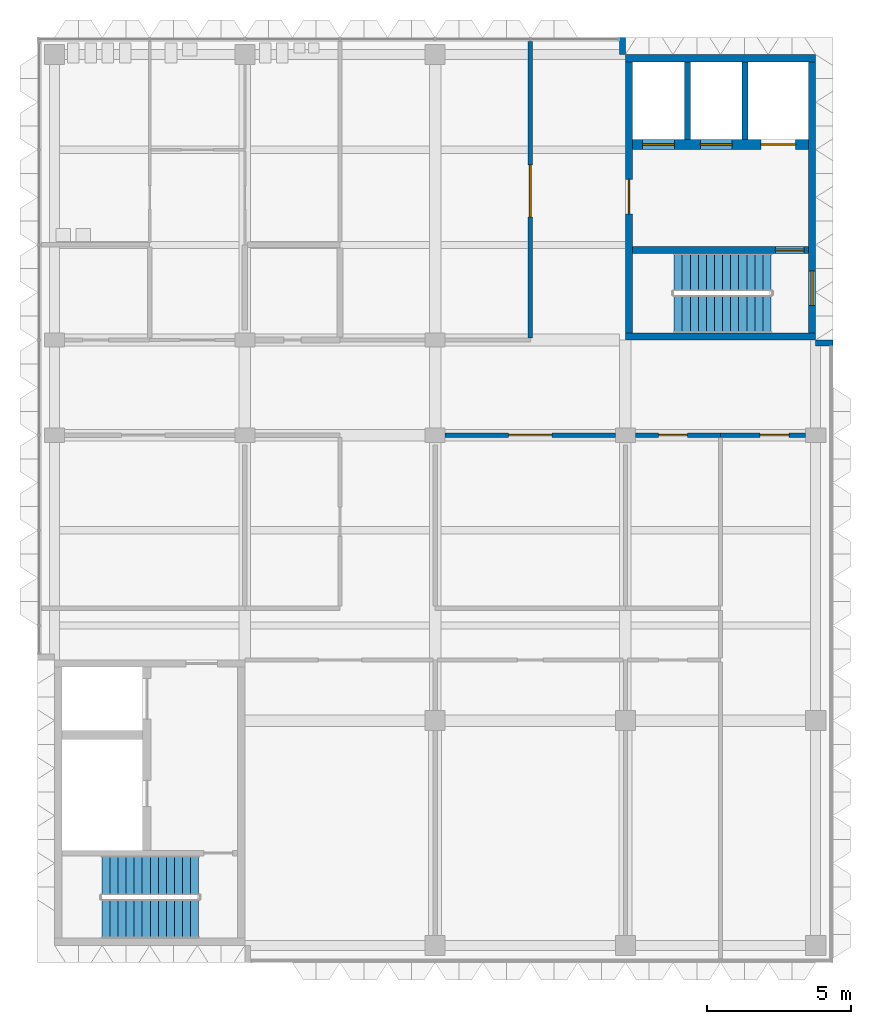
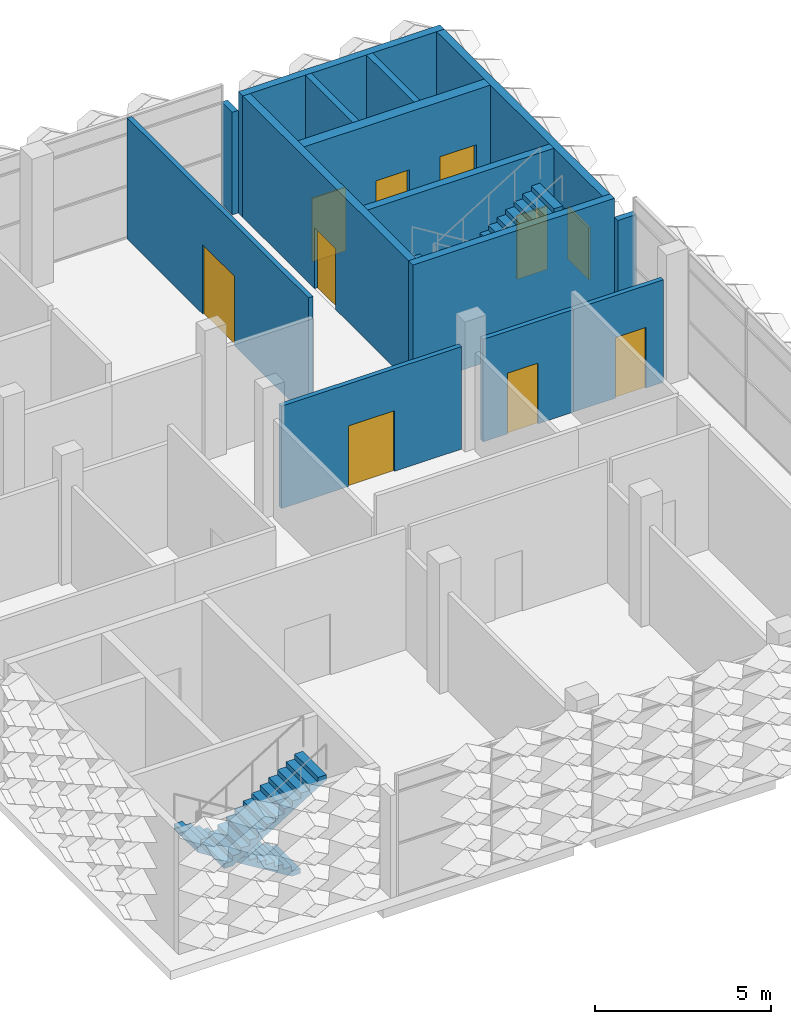
# One storey, part 10 of 28: 14 walls, 9 doors, 4 stair flights, 1 window, 10 openings, 2 elements without a shape of their own.
"""IFC4 building model written with IfcOpenShell, lengths in metres."""

from ifc_helpers import new_model, si_unit, direction, frame, frame_2d, origin, place, context, subcontext, project, spatial, polyline, rectangle, outline, extrude, material, layer, layer_set, type_object, element, fill, aggregate, save


model = new_model("IFC4")

# Units and contexts
model_context = context("Model", 3, precision=1e-05, world=origin(), true_north=direction((0.0, 1.0)))
body_context = subcontext(model_context, "Body", "Model", "MODEL_VIEW")
ifc_project = project(units=[si_unit("LENGTHUNIT", "METRE"), si_unit("AREAUNIT", "SQUARE_METRE"), si_unit("VOLUMEUNIT", "CUBIC_METRE"), si_unit("PLANEANGLEUNIT", "RADIAN"), si_unit("MASSUNIT", "GRAM", prefix="KILO")], contexts=[model_context])

# Site, building, storey
site_placement = place(None, origin())
site = spatial("IfcSite", under=ifc_project, at=site_placement, CompositionType="ELEMENT")
building_placement = place(site_placement, origin())
building = spatial("IfcBuilding", under=site, at=building_placement, Name="Lantern Court Research Institute", CompositionType="ELEMENT")
storey_placement = place(building_placement, frame((0.0, 0.0, 36.89990234375)))
storey = spatial("IfcBuildingStorey", under=building, at=storey_placement, Name="L08", CompositionType="ELEMENT", Elevation=36.89990234375)

# Wall, opening, door
ifc_material_1 = material(Name="Fire-rated gypsum board partition, mineral wool filled")
ifc_layer_1 = layer(ifc_material_1, 0.14990234375)
ifc_layer_set_1 = layer_set([ifc_layer_1], Name="Fire-rated gypsum board partition, mineral wool filled")
wall_type_1 = type_object("IfcWallType", Name="Laboratory partition 150 EI 60", PredefinedType="PARTITIONING", material=ifc_layer_set_1)
wall_1_placement = place(storey_placement, frame((66.35009765625, 9.89990234375, 0.0), z_axis=(0.0, 0.0, 1.0), x_axis=(1.0, 0.0, 0.0)))
wall_1 = element("IfcWall", 1, at=wall_1_placement, inside=storey, type_object=wall_type_1, Name="Laboratory partition 150 EI 60", PredefinedType="PARTITIONING", context=body_context, shape_type="SweptSolid", body=[
    extrude(rectangle(XDim=5.89990234375, YDim=0.14990234375, at=frame_2d((2.949951171875, 0.0))), origin(), (0.0, 0.0, 1.0), 3.550048828125),
])
opening_1_placement = place(wall_1_placement, frame((2.199951171875, 0.0, 0.0)))
opening_1 = element("IfcOpeningElement", 2, at=opening_1_placement, cuts=wall_1, Name="Opening D5813", PredefinedType="OPENING", context=body_context, shape_type="SweptSolid", body=[
    extrude(rectangle(XDim=1.5, YDim=2.10009765625, at=frame_2d((0.75, 1.050048828125))), frame((0.0, 0.0849609375, 0.0), z_axis=(0.0, -1.0, 0.0), x_axis=(1.0, 0.0, 0.0)), (0.0, 0.0, 1.0), 0.169921875),
])
ifc_material_2 = material(Name="Solid-core timber door leaf with vision panel", Category="wood")
ifc_layer_2 = layer(ifc_material_2, 0.053955078125)
ifc_layer_set_2 = layer_set([ifc_layer_2], Name="Solid-core timber door leaf with vision panel")
door_type_1 = type_object("IfcDoorType", Name="Laboratory double door 1500 x 2100 pair FD30S", OperationType="DOUBLE_DOOR_SINGLE_SWING", PredefinedType="DOOR", material=ifc_layer_set_2)
door_1_placement = place(opening_1_placement, origin())
door_1 = element("IfcDoor", 3, at=door_1_placement, inside=storey, type_object=door_type_1, Name="Door D5813", OperationType="DOUBLE_DOOR_SINGLE_SWING", OverallHeight=2.10009765625, OverallWidth=1.5, PredefinedType="DOOR", context=body_context, shape_type="SweptSolid", body=[
    extrude(rectangle(XDim=1.5, YDim=2.10009765625, at=frame_2d((0.75, 1.050048828125))), frame((0.0, 0.02685546875, 0.0), z_axis=(0.0, -1.0, 0.0), x_axis=(1.0, 0.0, 0.0)), (0.0, 0.0, 1.0), 0.053955078125),
])
fill(opening_1, door_1)

wall_2_placement = place(storey_placement, frame((72.949951171875, 9.89990234375, 0.0), z_axis=(0.0, 0.0, 1.0), x_axis=(1.0, 0.0, 0.0)))
wall_2 = element("IfcWall", 4, at=wall_2_placement, inside=storey, type_object=wall_type_1, Name="Laboratory partition 150 EI 60", PredefinedType="PARTITIONING", context=body_context, shape_type="SweptSolid", body=[
    extrude(rectangle(XDim=2.949951171875, YDim=0.14990234375, at=frame_2d((1.47509765625, 0.0))), origin(), (0.0, 0.0, 1.0), 3.550048828125),
])
opening_2_placement = place(wall_2_placement, frame((0.800048828125, 0.0, 0.0)))
opening_2 = element("IfcOpeningElement", 5, at=opening_2_placement, cuts=wall_2, Name="Opening D5814", PredefinedType="OPENING", context=body_context, shape_type="SweptSolid", body=[
    extrude(rectangle(XDim=1.0, YDim=2.10009765625, at=frame_2d((0.5, 1.050048828125))), frame((0.0, 0.0849609375, 0.0), z_axis=(0.0, -1.0, 0.0), x_axis=(1.0, 0.0, 0.0)), (0.0, 0.0, 1.0), 0.169921875),
])
ifc_material_3 = material(Name="Solid-core timber door leaf with vision panel", Category="wood")
ifc_layer_3 = layer(ifc_material_3, 0.053955078125)
ifc_layer_set_3 = layer_set([ifc_layer_3], Name="Solid-core timber door leaf with vision panel")
door_type_2 = type_object("IfcDoorType", Name="Laboratory door 1000 x 2100 single FD30S", OperationType="NOTDEFINED", PredefinedType="DOOR", material=ifc_layer_set_3)
door_2_placement = place(opening_2_placement, origin())
door_2 = element("IfcDoor", 6, at=door_2_placement, inside=storey, type_object=door_type_2, Name="Door D5814", OperationType="SINGLE_SWING_LEFT", OverallHeight=2.10009765625, OverallWidth=1.0, PredefinedType="DOOR", context=body_context, shape_type="SweptSolid", body=[
    extrude(rectangle(XDim=1.0, YDim=2.10009765625, at=frame_2d((0.5, 1.050048828125))), frame((0.0, 0.02685546875, 0.0), z_axis=(0.0, -1.0, 0.0), x_axis=(1.0, 0.0, 0.0)), (0.0, 0.0, 1.0), 0.053955078125),
])
fill(opening_2, door_2)

wall_3_placement = place(storey_placement, frame((75.89990234375, 9.89990234375, 0.0), z_axis=(0.0, 0.0, 1.0), x_axis=(1.0, 0.0, 0.0)))
wall_3 = element("IfcWall", 7, at=wall_3_placement, inside=storey, type_object=wall_type_1, Name="Laboratory partition 150 EI 60", PredefinedType="PARTITIONING", context=body_context, shape_type="SweptSolid", body=[
    extrude(rectangle(XDim=2.9501953125, YDim=0.14990234375, at=frame_2d((1.47509765625, 0.0))), origin(), (0.0, 0.0, 1.0), 3.550048828125),
])
opening_3_placement = place(wall_3_placement, frame((1.375, 0.0, 0.0)))
opening_3 = element("IfcOpeningElement", 8, at=opening_3_placement, cuts=wall_3, Name="Opening D5815", PredefinedType="OPENING", context=body_context, shape_type="SweptSolid", body=[
    extrude(rectangle(XDim=1.0, YDim=2.10009765625, at=frame_2d((0.5, 1.050048828125))), frame((0.0, 0.0849609375, 0.0), z_axis=(0.0, -1.0, 0.0), x_axis=(1.0, 0.0, 0.0)), (0.0, 0.0, 1.0), 0.169921875),
])
door_3_placement = place(opening_3_placement, origin())
door_3 = element("IfcDoor", 9, at=door_3_placement, inside=storey, type_object=door_type_2, Name="Door D5815", OperationType="SINGLE_SWING_LEFT", OverallHeight=2.10009765625, OverallWidth=1.0, PredefinedType="DOOR", context=body_context, shape_type="SweptSolid", body=[
    extrude(rectangle(XDim=1.0, YDim=2.10009765625, at=frame_2d((0.5, 1.050048828125))), frame((0.0, 0.02685546875, 0.0), z_axis=(0.0, -1.0, 0.0), x_axis=(1.0, 0.0, 0.0)), (0.0, 0.0, 1.0), 0.053955078125),
])
fill(opening_3, door_3)

wall_4_placement = place(storey_placement, frame((69.300048828125, 23.550048828125, 0.0), z_axis=(0.0, 0.0, 1.0), x_axis=(0.0, -1.0, 0.0)))
wall_4 = element("IfcWall", 10, at=wall_4_placement, inside=storey, type_object=wall_type_1, Name="Laboratory partition 150 EI 60", PredefinedType="PARTITIONING", context=body_context, shape_type="SweptSolid", body=[
    extrude(rectangle(XDim=10.275146484375, YDim=0.14990234375, at=frame_2d((5.1376953125, 0.0))), origin(), (0.0, 0.0, 1.0), 4.2001953125),
])
opening_4_placement = place(wall_4_placement, frame((4.27490234375, 0.0, 0.0)))
opening_4 = element("IfcOpeningElement", 11, at=opening_4_placement, cuts=wall_4, Name="Opening D5807", PredefinedType="OPENING", context=body_context, shape_type="SweptSolid", body=[
    extrude(rectangle(XDim=1.800048828125, YDim=2.39990234375, at=frame_2d((0.89990234375, 1.199951171875))), frame((0.0, 0.0849609375, 0.0), z_axis=(0.0, -1.0, 0.0), x_axis=(1.0, 0.0, 0.0)), (0.0, 0.0, 1.0), 0.169921875),
])
ifc_material_4 = material(Name="Solid-core timber door leaf with vision panel", Category="wood")
ifc_layer_4 = layer(ifc_material_4, 0.053955078125)
ifc_layer_set_4 = layer_set([ifc_layer_4], Name="Solid-core timber door leaf with vision panel")
door_type_3 = type_object("IfcDoorType", Name="Laboratory equipment door 1800 x 2400 pair FD30S", OperationType="DOUBLE_DOOR_SINGLE_SWING", PredefinedType="DOOR", material=ifc_layer_set_4)
door_4_placement = place(opening_4_placement, origin())
door_4 = element("IfcDoor", 12, at=door_4_placement, inside=storey, type_object=door_type_3, Name="Door D5807", OperationType="DOUBLE_DOOR_SINGLE_SWING", OverallHeight=2.39990234375, OverallWidth=1.800048828125, PredefinedType="DOOR", context=body_context, shape_type="SweptSolid", body=[
    extrude(rectangle(XDim=1.800048828125, YDim=2.39990234375, at=frame_2d((0.89990234375, 1.199951171875))), frame((0.0, 0.02685546875, 0.0), z_axis=(0.0, -1.0, 0.0), x_axis=(1.0, 0.0, 0.0)), (0.0, 0.0, 1.0), 0.053955078125),
])
fill(opening_4, door_4)

# Wall
ifc_material_5 = material(Name="Concrete C40/50", Category="concrete")
ifc_layer_5 = layer(ifc_material_5, 0.25)
ifc_layer_set_5 = layer_set([ifc_layer_5], Name="Concrete C40/50")
wall_type_2 = type_object("IfcWallType", Name="RC core wall 250", PredefinedType="SHEAR", material=ifc_layer_set_5)
wall_5_placement = place(storey_placement, frame((72.60009765625, 13.324951171875, 0.0), z_axis=(0.0, 0.0, 1.0), x_axis=(1.0, 0.0, 0.0)))
element("IfcWall", 13, at=wall_5_placement, inside=storey, type_object=wall_type_2, Name="South wall of core TC-E", PredefinedType="SHEAR", context=body_context, shape_type="SweptSolid", body=[
    extrude(rectangle(XDim=6.599853515625, YDim=0.25, at=frame_2d((3.2998046875, 0.0))), origin(), (0.0, 0.0, 1.0), 4.2001953125),
])

# Wall, opening, door
wall_6_placement = place(storey_placement, frame((72.72509765625, 13.449951171875, 0.0), z_axis=(0.0, 0.0, 1.0), x_axis=(0.0, 1.0, 0.0)))
wall_6 = element("IfcWall", 14, at=wall_6_placement, inside=storey, type_object=wall_type_2, Name="West wall of core TC-E", PredefinedType="SHEAR", context=body_context, shape_type="SweptSolid", body=[
    extrude(rectangle(XDim=9.400146484375, YDim=0.25, at=frame_2d((4.7001953125, 0.0))), origin(), (0.0, 0.0, 1.0), 4.2001953125),
])
opening_5_placement = place(wall_6_placement, frame((4.125, 0.0, 0.0)))
opening_5 = element("IfcOpeningElement", 15, at=opening_5_placement, cuts=wall_6, Name="Opening D7187", PredefinedType="OPENING", context=body_context, shape_type="SweptSolid", body=[
    extrude(rectangle(XDim=1.199951171875, YDim=2.10009765625, at=frame_2d((0.60009765625, 1.050048828125))), frame((0.0, 0.135009765625, 0.0), z_axis=(0.0, -1.0, 0.0), x_axis=(1.0, 0.0, 0.0)), (0.0, 0.0, 1.0), 0.27001953125),
])
ifc_material_6 = material(Name="Steel fire door leaf with smoke seals", Category="steel")
door_type_4 = type_object("IfcDoorType", Name="Door 1200 x 2100 fire rated FD60S", OperationType="NOTDEFINED", PredefinedType="DOOR", material=ifc_material_6)
door_5_placement = place(opening_5_placement, origin())
door_5 = element("IfcDoor", 16, at=door_5_placement, inside=storey, type_object=door_type_4, Name="Lobby door", OperationType="SINGLE_SWING_LEFT", OverallHeight=2.10009765625, OverallWidth=1.199951171875, PredefinedType="DOOR", context=body_context, shape_type="SweptSolid", body=[
    extrude(rectangle(XDim=1.199951171875, YDim=2.10009765625, at=frame_2d((0.60009765625, 1.050048828125))), frame((0.0, 0.02490234375, 0.0), z_axis=(0.0, -1.0, 0.0), x_axis=(1.0, 0.0, 0.0)), (0.0, 0.0, 1.0), 0.050048828125),
])
fill(opening_5, door_5)

# Wall
ifc_material_7 = material(Name="Concrete C40/50", Category="concrete")
ifc_layer_6 = layer(ifc_material_7, 0.25)
ifc_layer_set_6 = layer_set([ifc_layer_6], Name="Concrete C40/50")
wall_type_3 = type_object("IfcWallType", Name="RC core wall 250 facade", PredefinedType="SHEAR", material=ifc_layer_set_6)
wall_7_placement = place(storey_placement, frame((72.60009765625, 22.97509765625, 0.0), z_axis=(0.0, 0.0, 1.0), x_axis=(1.0, 0.0, 0.0)))
element("IfcWall", 17, at=wall_7_placement, inside=storey, type_object=wall_type_3, Name="North wall of core TC-E", PredefinedType="SHEAR", context=body_context, shape_type="SweptSolid", body=[
    extrude(rectangle(XDim=6.599853515625, YDim=0.25, at=frame_2d((3.2998046875, 0.0))), origin(), (0.0, 0.0, 1.0), 4.2001953125),
])

# Wall, opening, window
wall_8_placement = place(storey_placement, frame((79.074951171875, 13.449951171875, 0.0), z_axis=(0.0, 0.0, 1.0), x_axis=(0.0, 1.0, 0.0)))
wall_8 = element("IfcWall", 18, at=wall_8_placement, inside=storey, type_object=wall_type_3, Name="East wall of core TC-E", PredefinedType="SHEAR", context=body_context, shape_type="SweptSolid", body=[
    extrude(rectangle(XDim=9.400146484375, YDim=0.25, at=frame_2d((4.7001953125, 0.0))), origin(), (0.0, 0.0, 1.0), 4.2001953125),
])
opening_6_placement = place(wall_8_placement, frame((0.949951171875, 0.0, 0.699951171875)))
opening_6 = element("IfcOpeningElement", 19, at=opening_6_placement, cuts=wall_8, Name="Opening W7", PredefinedType="OPENING", context=body_context, shape_type="SweptSolid", body=[
    extrude(rectangle(XDim=1.199951171875, YDim=1.800048828125, at=frame_2d((0.60009765625, 0.89990234375))), frame((0.0, 0.135009765625, 0.0), z_axis=(0.0, -1.0, 0.0), x_axis=(1.0, 0.0, 0.0)), (0.0, 0.0, 1.0), 0.27001953125),
])
ifc_material_8 = material(Name="Aluminium alloy 6063-T6 frame with laminated glass", Category="aluminium")
window_type = type_object("IfcWindowType", Name="Stair window 1200 x 1800", PartitioningType="SINGLE_PANEL", PredefinedType="WINDOW", material=ifc_material_8)
window_placement = place(opening_6_placement, origin())
window = element("IfcWindow", 20, at=window_placement, inside=storey, type_object=window_type, Name="Stair window", OverallHeight=1.800048828125, OverallWidth=1.199951171875, PartitioningType="SINGLE_PANEL", PredefinedType="WINDOW", context=body_context, shape_type="SweptSolid", body=[
    extrude(rectangle(XDim=1.199951171875, YDim=1.800048828125, at=frame_2d((0.60009765625, 0.89990234375))), frame((0.0, 0.030029296875, 0.0), z_axis=(0.0, -1.0, 0.0), x_axis=(1.0, 0.0, 0.0)), (0.0, 0.0, 1.0), 0.06005859375),
])
fill(opening_6, window)

# Walls
ifc_material_9 = material(Name="Concrete C40/50", Category="concrete")
ifc_layer_7 = layer(ifc_material_9, 0.199951171875)
ifc_layer_set_7 = layer_set([ifc_layer_7], Name="Concrete C40/50")
wall_type_4 = type_object("IfcWallType", Name="RC shaft wall 200", PredefinedType="SHEAR", material=ifc_layer_set_7)
for number, where, z_axis, x_axis, name in (
    (21, (74.75, 20.14990234375, 0.0), (0.0, 0.0, 1.0), (0.0, 1.0, 0.0), "Lift shaft wall of core TC-E"),
    (22, (76.75, 20.14990234375, 0.0), (0.0, 0.0, 1.0), (0.0, 1.0, 0.0), "Lift shaft wall of core TC-E"),
):
    element("IfcWall", number, at=place(storey_placement, frame(where, z_axis=z_axis, x_axis=x_axis)), inside=storey, type_object=wall_type_4, Name=name, PredefinedType="SHEAR", context=body_context, shape_type="SweptSolid", body=[
        extrude(rectangle(XDim=2.7001953125, YDim=0.199951171875, at=frame_2d((1.35009765625, 0.0))), origin(), (0.0, 0.0, 1.0), 4.2001953125),
    ])

# Wall, opening, door
ifc_material_10 = material(Name="Concrete C40/50", Category="concrete")
ifc_layer_8 = layer(ifc_material_10, 0.25)
ifc_layer_set_8 = layer_set([ifc_layer_8], Name="Concrete C40/50")
wall_type_5 = type_object("IfcWallType", Name="RC shaft wall 250", PredefinedType="SHEAR", material=ifc_layer_set_8)
wall_9_placement = place(storey_placement, frame((72.85009765625, 16.324951171875, 0.0), z_axis=(0.0, 0.0, 1.0), x_axis=(1.0, 0.0, 0.0)))
wall_9 = element("IfcWall", 23, at=wall_9_placement, inside=storey, type_object=wall_type_5, Name="Stair wall of core TC-E", PredefinedType="SHEAR", context=body_context, shape_type="SweptSolid", body=[
    extrude(rectangle(XDim=6.099853515625, YDim=0.25, at=frame_2d((3.0498046875, 0.0))), origin(), (0.0, 0.0, 1.0), 4.2001953125),
])
opening_7_placement = place(wall_9_placement, frame((4.949951171875, 0.0, 0.0)))
opening_7 = element("IfcOpeningElement", 24, at=opening_7_placement, cuts=wall_9, Name="Opening D7188", PredefinedType="OPENING", context=body_context, shape_type="SweptSolid", body=[
    extrude(rectangle(XDim=1.0, YDim=2.199951171875, at=frame_2d((0.5, 1.10009765625))), frame((0.0, 0.135009765625, 0.0), z_axis=(0.0, -1.0, 0.0), x_axis=(1.0, 0.0, 0.0)), (0.0, 0.0, 1.0), 0.27001953125),
])
ifc_material_11 = material(Name="Steel fire door leaf with smoke seals", Category="steel")
door_type_5 = type_object("IfcDoorType", Name="Door 1000 x 2200 fire rated FD60S", OperationType="NOTDEFINED", PredefinedType="DOOR", material=ifc_material_11)
door_6_placement = place(opening_7_placement, origin())
door_6 = element("IfcDoor", 25, at=door_6_placement, inside=storey, type_object=door_type_5, Name="Stair door", OperationType="SINGLE_SWING_RIGHT", OverallHeight=2.199951171875, OverallWidth=1.0, PredefinedType="DOOR", context=body_context, shape_type="SweptSolid", body=[
    extrude(rectangle(XDim=1.0, YDim=2.199951171875, at=frame_2d((0.5, 1.10009765625))), frame((0.0, 0.02490234375, 0.0), z_axis=(0.0, -1.0, 0.0), x_axis=(1.0, 0.0, 0.0)), (0.0, 0.0, 1.0), 0.050048828125),
])
fill(opening_7, door_6)

# Wall, openings, doors
ifc_material_12 = material(Name="Concrete C40/50", Category="concrete")
ifc_layer_9 = layer(ifc_material_12, 0.35009765625)
ifc_layer_set_9 = layer_set([ifc_layer_9], Name="Concrete C40/50")
wall_type_6 = type_object("IfcWallType", Name="RC shaft wall 350", PredefinedType="SHEAR", material=ifc_layer_set_9)
wall_10_placement = place(storey_placement, frame((72.85009765625, 19.97509765625, 0.0), z_axis=(0.0, 0.0, 1.0), x_axis=(1.0, 0.0, 0.0)))
wall_10 = element("IfcWall", 26, at=wall_10_placement, inside=storey, type_object=wall_type_6, Name="Lift shaft wall of core TC-E", PredefinedType="SHEAR", context=body_context, shape_type="SweptSolid", body=[
    extrude(rectangle(XDim=6.099853515625, YDim=0.35009765625, at=frame_2d((3.0498046875, 0.0))), origin(), (0.0, 0.0, 1.0), 4.2001953125),
])
opening_8_placement = place(wall_10_placement, frame((0.35009765625, 0.0, 0.0)))
opening_8 = element("IfcOpeningElement", 27, at=opening_8_placement, cuts=wall_10, Name="Opening D7189", PredefinedType="OPENING", context=body_context, shape_type="SweptSolid", body=[
    extrude(rectangle(XDim=1.10009765625, YDim=2.199951171875, at=frame_2d((0.550048828125, 1.10009765625))), frame((0.0, 0.18505859375, 0.0), z_axis=(0.0, -1.0, 0.0), x_axis=(1.0, 0.0, 0.0)), (0.0, 0.0, 1.0), 0.3701171875),
])
opening_9_placement = place(wall_10_placement, frame((2.35009765625, 0.0, 0.0)))
opening_9 = element("IfcOpeningElement", 28, at=opening_9_placement, cuts=wall_10, Name="Opening D7190", PredefinedType="OPENING", context=body_context, shape_type="SweptSolid", body=[
    extrude(rectangle(XDim=1.10009765625, YDim=2.199951171875, at=frame_2d((0.550048828125, 1.10009765625))), frame((0.0, 0.18505859375, 0.0), z_axis=(0.0, -1.0, 0.0), x_axis=(1.0, 0.0, 0.0)), (0.0, 0.0, 1.0), 0.3701171875),
])
opening_10_placement = place(wall_10_placement, frame((4.449951171875, 0.0, 0.0)))
opening_10 = element("IfcOpeningElement", 29, at=opening_10_placement, cuts=wall_10, Name="Opening D7191", PredefinedType="OPENING", context=body_context, shape_type="SweptSolid", body=[
    extrude(rectangle(XDim=1.199951171875, YDim=2.300048828125, at=frame_2d((0.60009765625, 1.14990234375))), frame((0.0, 0.18505859375, 0.0), z_axis=(0.0, -1.0, 0.0), x_axis=(1.0, 0.0, 0.0)), (0.0, 0.0, 1.0), 0.3701171875),
])
ifc_material_13 = material(Name="Stainless steel landing door panels", Category="steel")
door_type_6 = type_object("IfcDoorType", Name="Lift landing door 1100 x 2200 sliding FD60", OperationType="DOUBLE_DOOR_SLIDING", PredefinedType="NOTDEFINED", material=ifc_material_13)
door_7_placement = place(opening_8_placement, origin())
door_7 = element("IfcDoor", 30, at=door_7_placement, inside=storey, type_object=door_type_6, Name="Landing door", OperationType="DOUBLE_DOOR_SLIDING", OverallHeight=2.199951171875, OverallWidth=1.10009765625, PredefinedType="NOTDEFINED", context=body_context, shape_type="SweptSolid", body=[
    extrude(rectangle(XDim=1.10009765625, YDim=2.199951171875, at=frame_2d((0.550048828125, 1.10009765625))), frame((0.0, 0.02490234375, 0.0), z_axis=(0.0, -1.0, 0.0), x_axis=(1.0, 0.0, 0.0)), (0.0, 0.0, 1.0), 0.050048828125),
])
fill(opening_8, door_7)
door_8_placement = place(opening_9_placement, origin())
door_8 = element("IfcDoor", 31, at=door_8_placement, inside=storey, type_object=door_type_6, Name="Landing door", OperationType="DOUBLE_DOOR_SLIDING", OverallHeight=2.199951171875, OverallWidth=1.10009765625, PredefinedType="NOTDEFINED", context=body_context, shape_type="SweptSolid", body=[
    extrude(rectangle(XDim=1.10009765625, YDim=2.199951171875, at=frame_2d((0.550048828125, 1.10009765625))), frame((0.0, 0.02490234375, 0.0), z_axis=(0.0, -1.0, 0.0), x_axis=(1.0, 0.0, 0.0)), (0.0, 0.0, 1.0), 0.050048828125),
])
fill(opening_9, door_8)
ifc_material_14 = material(Name="Stainless steel landing door panels", Category="steel")
door_type_7 = type_object("IfcDoorType", Name="Lift landing door 1200 x 2300 sliding FD60", OperationType="DOUBLE_DOOR_SLIDING", PredefinedType="NOTDEFINED", material=ifc_material_14)
door_9_placement = place(opening_10_placement, origin())
door_9 = element("IfcDoor", 32, at=door_9_placement, inside=storey, type_object=door_type_7, Name="Landing door", OperationType="DOUBLE_DOOR_SLIDING", OverallHeight=2.300048828125, OverallWidth=1.199951171875, PredefinedType="NOTDEFINED", context=body_context, shape_type="SweptSolid", body=[
    extrude(rectangle(XDim=1.199951171875, YDim=2.300048828125, at=frame_2d((0.60009765625, 1.14990234375))), frame((0.0, 0.02490234375, 0.0), z_axis=(0.0, -1.0, 0.0), x_axis=(1.0, 0.0, 0.0)), (0.0, 0.0, 1.0), 0.050048828125),
])
fill(opening_10, door_9)

# Walls
ifc_material_15 = material(Name="Concrete C40/50", Category="concrete")
ifc_layer_10 = layer(ifc_material_15, 0.199951171875)
ifc_layer_set_10 = layer_set([ifc_layer_10], Name="Concrete C40/50")
wall_type_7 = type_object("IfcWallType", Name="Return wall 200 concrete EI 120 aluminium faced", PredefinedType="STANDARD", material=ifc_layer_set_10)
wall_11_placement = place(storey_placement, frame((79.199951171875, 13.10009765625, 0.0), z_axis=(0.0, 0.0, 1.0), x_axis=(1.0, 0.0, 0.0)))
element("IfcWall", 33, at=wall_11_placement, inside=storey, type_object=wall_type_7, Name="Core return wall 63", PredefinedType="STANDARD", context=body_context, shape_type="SweptSolid", body=[
    extrude(rectangle(XDim=0.60009765625, YDim=0.199951171875, at=frame_2d((0.300048828125, 0.0))), origin(), (0.0, 0.0, 1.0), 3.550048828125),
])
wall_12_placement = place(storey_placement, frame((72.5, 23.10009765625, 0.0), z_axis=(0.0, 0.0, 1.0), x_axis=(0.0, 1.0, 0.0)))
element("IfcWall", 34, at=wall_12_placement, inside=storey, type_object=wall_type_7, Name="Core return wall 64", PredefinedType="STANDARD", context=body_context, shape_type="SweptSolid", body=[
    extrude(rectangle(XDim=0.599853515625, YDim=0.199951171875, at=frame_2d((0.2998046875, 0.0))), origin(), (0.0, 0.0, 1.0), 3.550048828125),
])

# Stair, stair flights
ifc_material_16 = material(Name="Concrete C40/50", Category="concrete")
stair_type_1 = type_object("IfcStairType", Name="RC half-turn stair 1300 wide, 4500 rise, 6100 shaft", PredefinedType="HALF_TURN_STAIR", material=ifc_material_16)
stair_1_placement = place(storey_placement, origin())
stair_1 = element("IfcStair", 35, at=stair_1_placement, inside=storey, type_object=stair_type_1, Name="L08 stair ST-T2", PredefinedType="HALF_TURN_STAIR")
ifc_material_17 = material(Name="Concrete C40/50", Category="concrete")
stair_flight_type_1 = type_object("IfcStairFlightType", Name="RC stair flight 1300 wide, 13 risers of 173, going 280", PredefinedType="STRAIGHT", material=ifc_material_17)
stair_flight_1_placement = place(storey_placement, frame((77.64990234375, 15.550048828125, 0.0), z_axis=(0.0, 0.0, 1.0), x_axis=(-1.0, 0.0, 0.0)))
stair_flight_1 = element("IfcStairFlight", 36, at=stair_flight_1_placement, type_object=stair_flight_type_1, Name="ST-T2 flight 1", NumberOfRisers=13, NumberOfTreads=12, PredefinedType="STRAIGHT", RiserHeight=0.173076923, TreadLength=0.28, context=body_context, shape_type="SweptSolid", body=[
    extrude(outline(polyline([(0.0, 0.0), (0.0, 0.173095703125), (0.280029296875, 0.173095703125), (0.280029296875, 0.34619140625), (0.56005859375, 0.34619140625), (0.56005859375, 0.519287109375), (0.840087890625, 0.519287109375), (0.840087890625, 0.6923828125), (1.1201171875, 0.6923828125), (1.1201171875, 0.865478515625), (1.39990234375, 0.865478515625), (1.39990234375, 1.03857421875), (1.679931640625, 1.03857421875), (1.679931640625, 1.21142578125), (1.9599609375, 1.21142578125), (1.9599609375, 1.384521484375), (2.239990234375, 1.384521484375), (2.239990234375, 1.5576171875), (2.52001953125, 1.5576171875), (2.52001953125, 1.730712890625), (2.800048828125, 1.730712890625), (2.800048828125, 1.90380859375), (3.080078125, 1.90380859375), (3.080078125, 2.076904296875), (3.360107421875, 2.076904296875), (3.360107421875, 2.25), (3.360107421875, 1.900634765625), (0.28515625, 0.0), (0.0, 0.0)])), frame((0.0, 0.64990234375, 0.0), z_axis=(0.0, -1.0, 0.0), x_axis=(1.0, 0.0, 0.0)), (0.0, 0.0, 1.0), 1.300048828125),
])
stair_flight_2_placement = place(storey_placement, frame((74.2900390625, 14.10009765625, 2.25), z_axis=(0.0, 0.0, 1.0), x_axis=(1.0, 0.0, 0.0)))
stair_flight_2 = element("IfcStairFlight", 37, at=stair_flight_2_placement, type_object=stair_flight_type_1, Name="ST-T2 flight 2", NumberOfRisers=13, NumberOfTreads=12, PredefinedType="STRAIGHT", RiserHeight=0.173076923, TreadLength=0.28, context=body_context, shape_type="SweptSolid", body=[
    extrude(outline(polyline([(0.0, 0.0), (0.0, 0.173095703125), (0.280029296875, 0.173095703125), (0.280029296875, 0.34619140625), (0.56005859375, 0.34619140625), (0.56005859375, 0.519287109375), (0.840087890625, 0.519287109375), (0.840087890625, 0.6923828125), (1.1201171875, 0.6923828125), (1.1201171875, 0.865478515625), (1.39990234375, 0.865478515625), (1.39990234375, 1.03857421875), (1.679931640625, 1.03857421875), (1.679931640625, 1.21142578125), (1.9599609375, 1.21142578125), (1.9599609375, 1.384521484375), (2.239990234375, 1.384521484375), (2.239990234375, 1.5576171875), (2.52001953125, 1.5576171875), (2.52001953125, 1.730712890625), (2.800048828125, 1.730712890625), (2.800048828125, 1.90380859375), (3.080078125, 1.90380859375), (3.080078125, 2.076904296875), (3.360107421875, 2.076904296875), (3.360107421875, 2.25), (3.360107421875, 1.900634765625), (0.28515625, 0.0), (0.0, 0.0)])), frame((0.0, 0.64990234375, 0.0), z_axis=(0.0, -1.0, 0.0), x_axis=(1.0, 0.0, 0.0)), (0.0, 0.0, 1.0), 1.300048828125),
])
aggregate(stair_1, [stair_flight_1, stair_flight_2])

ifc_material_18 = material(Name="Concrete C40/50", Category="concrete")
stair_type_2 = type_object("IfcStairType", Name="RC half-turn stair 1350 wide, 4500 rise, 6100 shaft", PredefinedType="HALF_TURN_STAIR", material=ifc_material_18)
stair_2_placement = place(storey_placement, origin())
stair_2 = element("IfcStair", 38, at=stair_2_placement, inside=storey, type_object=stair_type_2, Name="L08 stair ST-T1", PredefinedType="HALF_TURN_STAIR")
ifc_material_19 = material(Name="Concrete C40/50", Category="concrete")
stair_flight_type_2 = type_object("IfcStairFlightType", Name="RC stair flight 1350 wide, 13 risers of 173, going 280", PredefinedType="STRAIGHT", material=ifc_material_19)
stair_flight_3_placement = place(storey_placement, frame((57.800048828125, -5.375, 0.0), z_axis=(0.0, 0.0, 1.0), x_axis=(-1.0, 0.0, 0.0)))
stair_flight_3 = element("IfcStairFlight", 39, at=stair_flight_3_placement, type_object=stair_flight_type_2, Name="ST-T1 flight 1", NumberOfRisers=13, NumberOfTreads=12, PredefinedType="STRAIGHT", RiserHeight=0.173076923, TreadLength=0.28, context=body_context, shape_type="SweptSolid", body=[
    extrude(outline(polyline([(0.0, 0.0), (0.0, 0.173095703125), (0.280029296875, 0.173095703125), (0.280029296875, 0.34619140625), (0.56005859375, 0.34619140625), (0.56005859375, 0.519287109375), (0.840087890625, 0.519287109375), (0.840087890625, 0.6923828125), (1.1201171875, 0.6923828125), (1.1201171875, 0.865478515625), (1.39990234375, 0.865478515625), (1.39990234375, 1.03857421875), (1.679931640625, 1.03857421875), (1.679931640625, 1.21142578125), (1.9599609375, 1.21142578125), (1.9599609375, 1.384521484375), (2.239990234375, 1.384521484375), (2.239990234375, 1.5576171875), (2.52001953125, 1.5576171875), (2.52001953125, 1.730712890625), (2.800048828125, 1.730712890625), (2.800048828125, 1.90380859375), (3.080078125, 1.90380859375), (3.080078125, 2.076904296875), (3.360107421875, 2.076904296875), (3.360107421875, 2.25), (3.360107421875, 1.900634765625), (0.28515625, 0.0), (0.0, 0.0)])), frame((0.0, 0.675048828125, 0.0), z_axis=(0.0, -1.0, 0.0), x_axis=(1.0, 0.0, 0.0)), (0.0, 0.0, 1.0), 1.35009765625),
])
stair_flight_4_placement = place(storey_placement, frame((54.43994140625, -6.875, 2.25), z_axis=(0.0, 0.0, 1.0), x_axis=(1.0, 0.0, 0.0)))
stair_flight_4 = element("IfcStairFlight", 40, at=stair_flight_4_placement, type_object=stair_flight_type_2, Name="ST-T1 flight 2", NumberOfRisers=13, NumberOfTreads=12, PredefinedType="STRAIGHT", RiserHeight=0.173076923, TreadLength=0.28, context=body_context, shape_type="SweptSolid", body=[
    extrude(outline(polyline([(0.0, 0.0), (0.0, 0.173095703125), (0.280029296875, 0.173095703125), (0.280029296875, 0.34619140625), (0.56005859375, 0.34619140625), (0.56005859375, 0.519287109375), (0.840087890625, 0.519287109375), (0.840087890625, 0.6923828125), (1.1201171875, 0.6923828125), (1.1201171875, 0.865478515625), (1.39990234375, 0.865478515625), (1.39990234375, 1.03857421875), (1.679931640625, 1.03857421875), (1.679931640625, 1.21142578125), (1.9599609375, 1.21142578125), (1.9599609375, 1.384521484375), (2.239990234375, 1.384521484375), (2.239990234375, 1.5576171875), (2.52001953125, 1.5576171875), (2.52001953125, 1.730712890625), (2.800048828125, 1.730712890625), (2.800048828125, 1.90380859375), (3.080078125, 1.90380859375), (3.080078125, 2.076904296875), (3.360107421875, 2.076904296875), (3.360107421875, 2.25), (3.360107421875, 1.900634765625), (0.28515625, 0.0), (0.0, 0.0)])), frame((0.0, 0.675048828125, 0.0), z_axis=(0.0, -1.0, 0.0), x_axis=(1.0, 0.0, 0.0)), (0.0, 0.0, 1.0), 1.35009765625),
])
aggregate(stair_2, [stair_flight_3, stair_flight_4])

save(model, "model.ifc")
